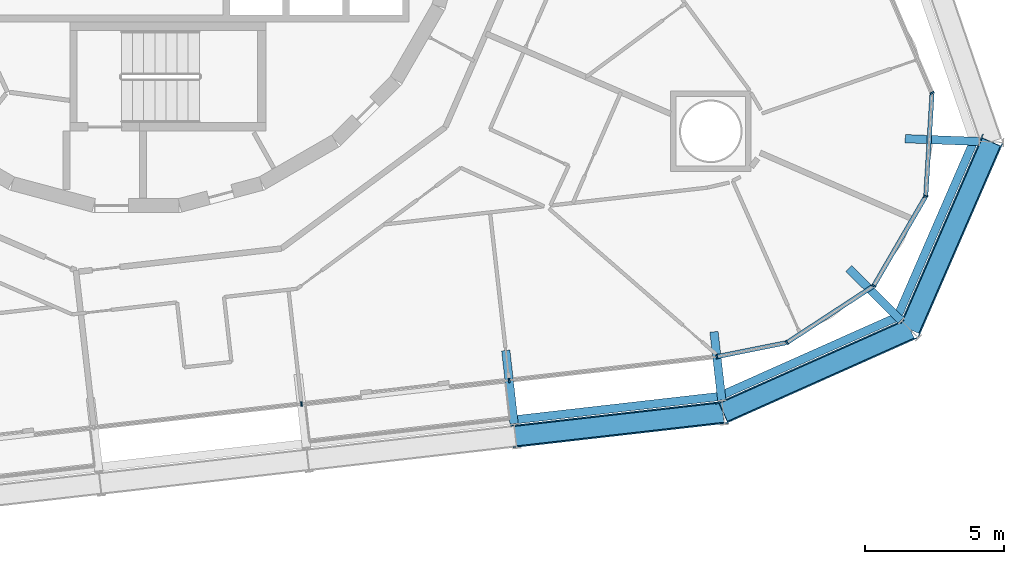
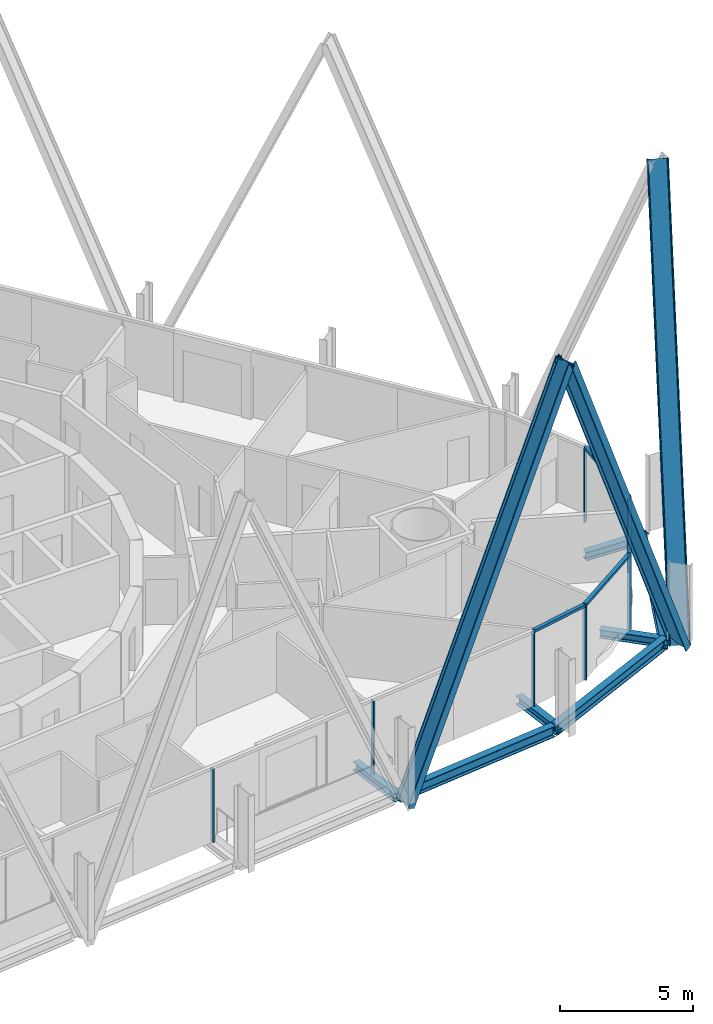
# One storey, part 7 of 23: 14 members, 7 beams, 2 elements without a shape of their own.
"""IFC4 building model written with IfcOpenShell, lengths in metres."""

from ifc_helpers import new_model, si_unit, direction, frame, origin, origin_2d, place, context, subcontext, project, spatial, rectangle, i_section, extrude, material, layer, layer_set, material_profile, profile_set, type_object, element, aggregate, save


model = new_model("IFC4")

# Units and contexts
model_context = context("Model", 3, precision=1e-05, world=origin(), true_north=direction((0.0, 1.0)))
body_context = subcontext(model_context, "Body", "Model", "MODEL_VIEW")
ifc_project = project(units=[si_unit("LENGTHUNIT", "METRE"), si_unit("AREAUNIT", "SQUARE_METRE"), si_unit("VOLUMEUNIT", "CUBIC_METRE"), si_unit("PLANEANGLEUNIT", "RADIAN"), si_unit("MASSUNIT", "GRAM", prefix="KILO")], contexts=[model_context])

# Site, building, storey
site_placement = place(None, origin())
site = spatial("IfcSite", under=ifc_project, at=site_placement, CompositionType="ELEMENT")
building_placement = place(site_placement, origin())
building = spatial("IfcBuilding", under=site, at=building_placement, Name="Spindle Arch Residences", CompositionType="ELEMENT")
storey_placement = place(building_placement, frame((0.0, 0.0, 90.699951171875)))
storey = spatial("IfcBuildingStorey", under=building, at=storey_placement, Name="L21", CompositionType="ELEMENT", Elevation=90.699951171875)

# Curtain wall, members
ifc_material_1 = material(Name="Aluminium bronze unitised frame with tinted glass", Category="aluminium")
ifc_layer_1 = layer(ifc_material_1, 0.159912109375)
ifc_layer_set_1 = layer_set([ifc_layer_1], Name="CW-D corner wall on the fillet arcs")
curtain_wall_type_1 = type_object("IfcCurtainWallType", Name="CW-D corner wall on the fillet arcs", PredefinedType="NOTDEFINED", material=ifc_layer_set_1)
curtain_wall_1_placement = place(storey_placement, origin())
curtain_wall_1 = element("IfcCurtainWall", 1, at=curtain_wall_1_placement, inside=storey, type_object=curtain_wall_type_1, Name="CW-D L21 run 1", PredefinedType="NOTDEFINED")
ifc_material_2 = material(Name="Aluminium bronze anodised mullion", Category="aluminium")
ifc_material_profile_1 = material_profile(ifc_material_2, rectangle(XDim=0.159912109375, YDim=0.06005859375, at=origin_2d()), Name="MU 60x160")
ifc_profile_set_1 = profile_set([ifc_material_profile_1], Name="Aluminium bronze anodised mullion")
member_type_1 = type_object("IfcMemberType", Name="Bronze mullion 60x160", PredefinedType="MULLION", material=ifc_profile_set_1)
member_1_placement = place(storey_placement, frame((20.865234375, -17.085205078125, -0.3798828125), z_axis=(0.0, 0.0, 1.0), x_axis=(-0.196863041416, 0.980430998553, 0.0)))
member_1 = element("IfcMember", 2, at=member_1_placement, type_object=member_type_1, Name="CW-D mullion 00", PredefinedType="MULLION", context=body_context, shape_type="SweptSolid", body=[
    extrude(rectangle(XDim=0.159912109375, YDim=0.06005859375, at=origin_2d()), origin(), (0.0, 0.0, 1.0), 3.3798828125),
])
member_2_placement = place(storey_placement, frame((23.38916015625, -16.57861328125, -0.3798828125), z_axis=(0.0, 0.0, 1.0), x_axis=(-0.547076323657, 0.83708272954, 0.0)))
member_2 = element("IfcMember", 3, at=member_2_placement, type_object=member_type_1, Name="CW-D mullion 01", PredefinedType="MULLION", context=body_context, shape_type="SweptSolid", body=[
    extrude(rectangle(XDim=0.159912109375, YDim=0.06005859375, at=origin_2d()), origin(), (0.0, 0.0, 1.0), 3.3798828125),
])
member_3_placement = place(storey_placement, frame((26.508544921875, -14.539794921875, -0.3798828125), z_axis=(0.0, 0.0, 1.0), x_axis=(-0.864567301682, 0.502517045345, 0.0)))
member_3 = element("IfcMember", 4, at=member_3_placement, type_object=member_type_1, Name="CW-D mullion 02", PredefinedType="MULLION", context=body_context, shape_type="SweptSolid", body=[
    extrude(rectangle(XDim=0.159912109375, YDim=0.06005859375, at=origin_2d()), origin(), (0.0, 0.0, 1.0), 3.3798828125),
])
member_4_placement = place(storey_placement, frame((28.38134765625, -11.317626953125, -0.3798828125), z_axis=(0.0, 0.0, 1.0), x_axis=(-0.998134798631, 0.06104853612, 0.0)))
member_4 = element("IfcMember", 5, at=member_4_placement, type_object=member_type_1, Name="CW-D mullion 03", PredefinedType="MULLION", context=body_context, shape_type="SweptSolid", body=[
    extrude(rectangle(XDim=0.159912109375, YDim=0.06005859375, at=origin_2d()), origin(), (0.0, 0.0, 1.0), 3.3798828125),
])
member_5_placement = place(storey_placement, frame((28.60888671875, -7.597900390625, -0.3798828125), z_axis=(0.0, 0.0, 1.0), x_axis=(-0.919364369298, -0.393407112882, 0.0)))
member_5 = element("IfcMember", 6, at=member_5_placement, type_object=member_type_1, Name="CW-D mullion 04", PredefinedType="MULLION", context=body_context, shape_type="SweptSolid", body=[
    extrude(rectangle(XDim=0.159912109375, YDim=0.06005859375, at=origin_2d()), origin(), (0.0, 0.0, 1.0), 3.3798828125),
])

ifc_material_3 = material(Name="Aluminium bronze unitised frame with tinted glass", Category="aluminium")
ifc_layer_2 = layer(ifc_material_3, 0.159912109375)
ifc_layer_set_2 = layer_set([ifc_layer_2], Name="CW-C typical residential unitised wall")
curtain_wall_type_2 = type_object("IfcCurtainWallType", Name="CW-C typical residential unitised wall", PredefinedType="NOTDEFINED", material=ifc_layer_set_2)
curtain_wall_2_placement = place(storey_placement, origin())
curtain_wall_2 = element("IfcCurtainWall", 7, at=curtain_wall_2_placement, inside=storey, type_object=curtain_wall_type_2, Name="CW-C L21 run 6", PredefinedType="NOTDEFINED")
member_6_placement = place(storey_placement, frame((5.92431640625, -18.78759765625, -0.3798828125), z_axis=(0.0, 0.0, 1.0), x_axis=(-0.113203213768, 0.993571855677, 0.0)))
member_6 = element("IfcMember", 8, at=member_6_placement, type_object=member_type_1, Name="CW-C mullion 00", PredefinedType="MULLION", context=body_context, shape_type="SweptSolid", body=[
    extrude(rectangle(XDim=0.159912109375, YDim=0.06005859375, at=origin_2d()), origin(), (0.0, 0.0, 1.0), 3.3798828125),
])
member_7_placement = place(storey_placement, frame((13.394775390625, -17.9365234375, -0.3798828125), z_axis=(0.0, 0.0, 1.0), x_axis=(-0.113203213768, 0.993571855677, 0.0)))
member_7 = element("IfcMember", 9, at=member_7_placement, type_object=member_type_1, Name="CW-C mullion 01", PredefinedType="MULLION", context=body_context, shape_type="SweptSolid", body=[
    extrude(rectangle(XDim=0.159912109375, YDim=0.06005859375, at=origin_2d()), origin(), (0.0, 0.0, 1.0), 3.3798828125),
])
aggregate(curtain_wall_2, [member_6, member_7])

# Member
ifc_material_4 = material(Name="Aluminium bronze anodised transom", Category="aluminium")
ifc_material_profile_2 = material_profile(ifc_material_4, rectangle(XDim=0.159912109375, YDim=0.1201171875, at=origin_2d()), Name="TR 120x160")
ifc_profile_set_2 = profile_set([ifc_material_profile_2], Name="Aluminium bronze anodised transom")
member_type_2 = type_object("IfcMemberType", Name="Bronze transom 120x160", PredefinedType="USERDEFINED", material=ifc_profile_set_2)
member_8_placement = place(storey_placement, frame((20.894775390625, -17.079345703125, 3.06005859375), z_axis=(0.980434738394, 0.196844415088, 0.0), x_axis=(-0.196844415088, 0.980434738394, 0.0)))
member_8 = element("IfcMember", 10, at=member_8_placement, type_object=member_type_2, Name="CW-D transom 00", ObjectType="TRANSOM", PredefinedType="USERDEFINED", context=body_context, shape_type="SweptSolid", body=[
    extrude(rectangle(XDim=0.159912109375, YDim=0.1201171875, at=origin_2d()), origin(), (0.0, 0.0, 1.0), 2.513916015625),
])

member_9_placement = place(storey_placement, frame((23.4140625, -16.562255859375, 3.06005859375), z_axis=(0.837085709997, 0.547071763226, 0.0), x_axis=(-0.547071763226, 0.837085709997, 0.0)))
member_9 = element("IfcMember", 11, at=member_9_placement, type_object=member_type_2, Name="CW-D transom 01", ObjectType="TRANSOM", PredefinedType="USERDEFINED", context=body_context, shape_type="SweptSolid", body=[
    extrude(rectangle(XDim=0.159912109375, YDim=0.1201171875, at=origin_2d()), origin(), (0.0, 0.0, 1.0), 3.6669921875),
])

member_10_placement = place(storey_placement, frame((26.523681640625, -14.513916015625, 3.06005859375), z_axis=(0.502549865263, 0.864548224753, 0.0), x_axis=(-0.864548224753, 0.502549865263, 0.0)))
member_10 = element("IfcMember", 12, at=member_10_placement, type_object=member_type_2, Name="CW-D transom 02", ObjectType="TRANSOM", PredefinedType="USERDEFINED", context=body_context, shape_type="SweptSolid", body=[
    extrude(rectangle(XDim=0.159912109375, YDim=0.1201171875, at=origin_2d()), origin(), (0.0, 0.0, 1.0), 3.666748046875),
])

member_11_placement = place(storey_placement, frame((28.38330078125, -11.287841796875, 3.06005859375), z_axis=(0.061055913319, 0.998134347395, 0.0), x_axis=(-0.998134347395, 0.061055913319, 0.0)))
member_11 = element("IfcMember", 13, at=member_11_placement, type_object=member_type_2, Name="CW-D transom 03", ObjectType="TRANSOM", PredefinedType="USERDEFINED", context=body_context, shape_type="SweptSolid", body=[
    extrude(rectangle(XDim=0.159912109375, YDim=0.1201171875, at=origin_2d()), origin(), (0.0, 0.0, 1.0), 3.666748046875),
])

aggregate(curtain_wall_1, [member_1, member_8, member_2, member_9, member_3, member_10, member_4, member_11, member_5])

# Members
ifc_material_5 = material(Name="Steel S460ML, intumescent coating R 240", Category="steel")
ifc_material_profile_3 = material_profile(ifc_material_5, i_section(OverallWidth=0.302978515625, OverallDepth=0.81396484375, WebThickness=0.02099609375, FlangeThickness=0.0400390625, FilletRadius=0.030029296875, at=origin_2d()), Name="HEM 800")
ifc_profile_set_3 = profile_set([ifc_material_profile_3], Name="Steel S460ML, intumescent coating R 240")
member_type_3 = type_object("IfcMemberType", Name="Diagrid diagonal HEM 800", PredefinedType="BRACE", material=ifc_profile_set_3)
member_12_placement = place(storey_placement, frame((13.62353515625, -19.943603515625, -0.6298828125), z_axis=(0.396553759844, 0.045190462452, 0.916898542728), x_axis=(-0.911002294787, -0.103815974441, 0.399120360722)))
element("IfcMember", 14, at=member_12_placement, inside=storey, type_object=member_type_3, Name="Diagrid diagonal 2.2.2", PredefinedType="BRACE", context=body_context, shape_type="SweptSolid", body=[
    extrude(i_section(OverallWidth=0.302978515625, OverallDepth=0.81396484375, WebThickness=0.02099609375, FlangeThickness=0.0400390625, FilletRadius=0.030029296875, at=origin_2d()), origin(), (0.0, 0.0, 1.0), 18.83837890625),
])
member_13_placement = place(storey_placement, frame((27.81103515625, -16.097900390625, -0.6298828125), z_axis=(-0.357796060899, -0.159501642385, 0.920076738583), x_axis=(0.840356790898, 0.374622034688, 0.391738171638)))
element("IfcMember", 15, at=member_13_placement, inside=storey, type_object=member_type_3, Name="Diagrid diagonal 2.2.3", PredefinedType="BRACE", context=body_context, shape_type="SweptSolid", body=[
    extrude(i_section(OverallWidth=0.302978515625, OverallDepth=0.81396484375, WebThickness=0.02099609375, FlangeThickness=0.0400390625, FilletRadius=0.030029296875, at=origin_2d()), origin(), (0.0, 0.0, 1.0), 18.7734375),
])
member_14_placement = place(storey_placement, frame((27.81103515625, -16.097900390625, -0.6298828125), z_axis=(0.156067957302, 0.358921183578, 0.92022735054), x_axis=(-0.366948865528, -0.84389982034, 0.391384239997)))
element("IfcMember", 16, at=member_14_placement, inside=storey, type_object=member_type_3, Name="Diagrid diagonal 2.2.4", PredefinedType="BRACE", context=body_context, shape_type="SweptSolid", body=[
    extrude(i_section(OverallWidth=0.302978515625, OverallDepth=0.81396484375, WebThickness=0.02099609375, FlangeThickness=0.0400390625, FilletRadius=0.030029296875, at=origin_2d()), origin(), (0.0, 0.0, 1.0), 18.770263671875),
])

# Beams
ifc_material_6 = material(Name="Steel S460ML, intumescent coating R 120", Category="steel")
ifc_material_profile_4 = material_profile(ifc_material_6, i_section(OverallWidth=0.300048828125, OverallDepth=0.5, WebThickness=0.014404296875, FlangeThickness=0.028076171875, FilletRadius=0.027099609375, at=origin_2d()), Name="HEB 500")
ifc_profile_set_4 = profile_set([ifc_material_profile_4], Name="Steel S460ML, intumescent coating R 120")
beam_type_1 = type_object("IfcBeamType", Name="Exoskeleton edge beam HEB 500", PredefinedType="BEAM", material=ifc_profile_set_4)
beam_1_placement = place(storey_placement, frame((13.686279296875, -19.345703125, -0.6298828125), z_axis=(0.993567208644, 0.113243992807, 0.0), x_axis=(-0.113243992807, 0.993567208644, 0.0)))
element("IfcBeam", 17, at=beam_1_placement, inside=storey, type_object=beam_type_1, Name="Exoskeleton edge beam 2", PredefinedType="BEAM", context=body_context, shape_type="SweptSolid", body=[
    extrude(i_section(OverallWidth=0.300048828125, OverallDepth=0.5, WebThickness=0.014404296875, FlangeThickness=0.028076171875, FilletRadius=0.027099609375, at=origin_2d()), origin(), (0.0, 0.0, 1.0), 7.2587890625),
])
beam_2_placement = place(storey_placement, frame((20.956787109375, -18.510986328125, -0.6298828125), z_axis=(0.913358271861, 0.407156809133, 0.0), x_axis=(-0.407156809133, 0.913358271861, 0.0)))
element("IfcBeam", 18, at=beam_2_placement, inside=storey, type_object=beam_type_1, Name="Exoskeleton edge beam 3", PredefinedType="BEAM", context=body_context, shape_type="SweptSolid", body=[
    extrude(i_section(OverallWidth=0.300048828125, OverallDepth=0.5, WebThickness=0.014404296875, FlangeThickness=0.028076171875, FilletRadius=0.027099609375, at=origin_2d()), origin(), (0.0, 0.0, 1.0), 7.09423828125),
])
beam_3_placement = place(storey_placement, frame((27.324462890625, -15.74462890625, -0.6298828125), z_axis=(0.398753826639, 0.917058005658, 0.0), x_axis=(-0.917058005658, 0.398753826639, 0.0)))
element("IfcBeam", 19, at=beam_3_placement, inside=storey, type_object=beam_type_1, Name="Exoskeleton edge beam 4", PredefinedType="BEAM", context=body_context, shape_type="SweptSolid", body=[
    extrude(i_section(OverallWidth=0.300048828125, OverallDepth=0.5, WebThickness=0.014404296875, FlangeThickness=0.028076171875, FilletRadius=0.027099609375, at=origin_2d()), origin(), (0.0, 0.0, 1.0), 7.086181640625),
])
ifc_material_7 = material(Name="Steel S460ML, intumescent coating R 120", Category="steel")
ifc_material_profile_5 = material_profile(ifc_material_7, i_section(OverallWidth=0.300048828125, OverallDepth=0.389892578125, WebThickness=0.010986328125, FlangeThickness=0.01904296875, FilletRadius=0.027099609375, at=origin_2d()), Name="HEA 400")
ifc_profile_set_5 = profile_set([ifc_material_profile_5], Name="Steel S460ML, intumescent coating R 120")
beam_type_2 = type_object("IfcBeamType", Name="Floor outrigger HEA 400", PredefinedType="BEAM", material=ifc_profile_set_5)
beam_4_placement = place(storey_placement, frame((13.572509765625, -19.496337890625, -0.574951171875), z_axis=(-0.113130863078, 0.993580096328, 0.0), x_axis=(-0.993580096328, -0.113130863078, 0.0)))
element("IfcBeam", 20, at=beam_4_placement, inside=storey, type_object=beam_type_2, Name="Floor outrigger 2", PredefinedType="BEAM", context=body_context, shape_type="SweptSolid", body=[
    extrude(i_section(OverallWidth=0.300048828125, OverallDepth=0.389892578125, WebThickness=0.010986328125, FlangeThickness=0.01904296875, FilletRadius=0.027099609375, at=origin_2d()), origin(), (0.0, 0.0, 1.0), 2.650146484375),
])
beam_5_placement = place(storey_placement, frame((21.043212890625, -18.645263671875, -0.574951171875), z_axis=(-0.113326452293, 0.993557806678, 0.0), x_axis=(-0.993557806678, -0.113326452293, 0.0)))
element("IfcBeam", 21, at=beam_5_placement, inside=storey, type_object=beam_type_2, Name="Floor outrigger 3", PredefinedType="BEAM", context=body_context, shape_type="SweptSolid", body=[
    extrude(i_section(OverallWidth=0.300048828125, OverallDepth=0.389892578125, WebThickness=0.010986328125, FlangeThickness=0.01904296875, FilletRadius=0.027099609375, at=origin_2d()), origin(), (0.0, 0.0, 1.0), 2.470947265625),
])
beam_6_placement = place(storey_placement, frame((27.49169921875, -15.78076171875, -0.574951171875), z_axis=(-0.709222613683, 0.704984598584, 0.0), x_axis=(-0.704984598584, -0.709222613683, 0.0)))
element("IfcBeam", 22, at=beam_6_placement, inside=storey, type_object=beam_type_2, Name="Floor outrigger 4", PredefinedType="BEAM", context=body_context, shape_type="SweptSolid", body=[
    extrude(i_section(OverallWidth=0.300048828125, OverallDepth=0.389892578125, WebThickness=0.010986328125, FlangeThickness=0.01904296875, FilletRadius=0.027099609375, at=origin_2d()), origin(), (0.0, 0.0, 1.0), 2.64990234375),
])
beam_7_placement = place(storey_placement, frame((30.290771484375, -9.34375, -0.574951171875), z_axis=(-0.999282920946, 0.037863490413, 0.0), x_axis=(-0.037863490413, -0.999282920946, 0.0)))
element("IfcBeam", 23, at=beam_7_placement, inside=storey, type_object=beam_type_2, Name="Floor outrigger 5", PredefinedType="BEAM", context=body_context, shape_type="SweptSolid", body=[
    extrude(i_section(OverallWidth=0.300048828125, OverallDepth=0.389892578125, WebThickness=0.010986328125, FlangeThickness=0.01904296875, FilletRadius=0.027099609375, at=origin_2d()), origin(), (0.0, 0.0, 1.0), 2.650146484375),
])

save(model, "model.ifc")
